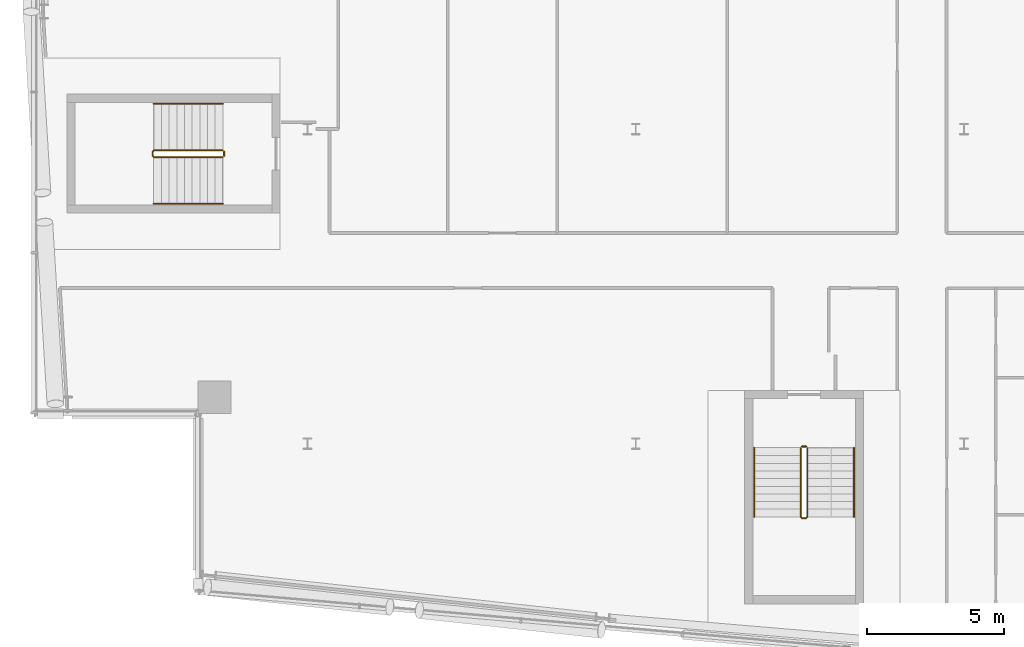
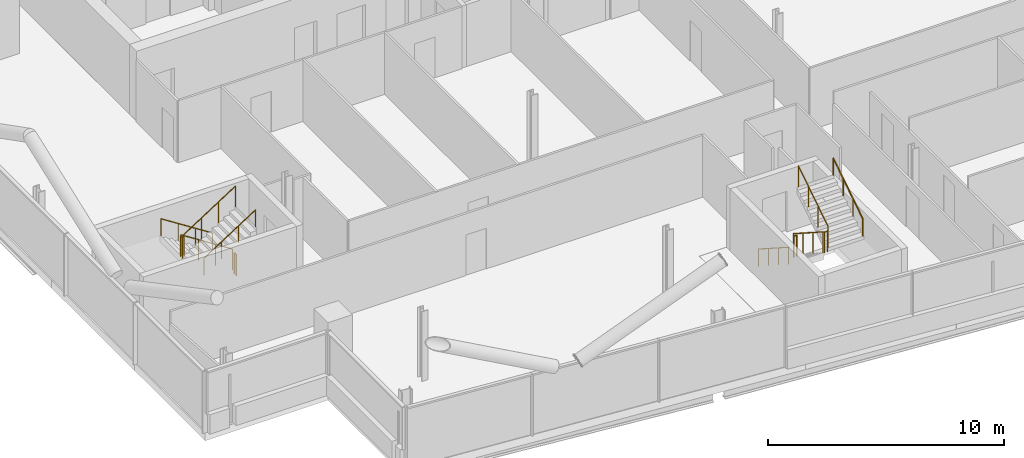
# One storey, part 24 of 26: 8 railings.
"""IFC4 building model written with IfcOpenShell, lengths in metres."""

from ifc_helpers import new_model, si_unit, direction, frame, origin, origin_2d, place, context, subcontext, project, spatial, circle, extrude, material, type_object, element, save


model = new_model("IFC4")

# Units and contexts
model_context = context("Model", 3, precision=1e-05, world=origin(), true_north=direction((0.0, 1.0)))
body_context = subcontext(model_context, "Body", "Model", "MODEL_VIEW")
ifc_project = project(units=[si_unit("LENGTHUNIT", "METRE"), si_unit("AREAUNIT", "SQUARE_METRE"), si_unit("VOLUMEUNIT", "CUBIC_METRE"), si_unit("PLANEANGLEUNIT", "RADIAN"), si_unit("MASSUNIT", "GRAM", prefix="KILO")], contexts=[model_context])

# Site, building, storey
site_placement = place(None, origin())
site = spatial("IfcSite", under=ifc_project, at=site_placement, CompositionType="ELEMENT")
building_placement = place(site_placement, origin())
building = spatial("IfcBuilding", under=site, at=building_placement, Name="Wharfspan Tower", CompositionType="ELEMENT")
storey_placement = place(building_placement, frame((0.0, 0.0, 214.300049)))
storey = spatial("IfcBuildingStorey", under=building, at=storey_placement, Name="L53", CompositionType="ELEMENT", Elevation=214.300049)

# Railings
ifc_material = material(Name="Steel S355J2", Category="steel")
railing_type_1 = type_object("IfcRailingType", Name="Stair guard 1100", PredefinedType="GUARDRAIL", material=ifc_material)
railing_1_placement = place(storey_placement, frame((20.899902, 22.225098, 0.179932)))
element("IfcRailing", 1, at=railing_1_placement, inside=storey, type_object=railing_type_1, Name="L53 ST3 stair guard 1", PredefinedType="GUARDRAIL", context=body_context, shape_type="SweptSolid", body=[
    extrude(circle(Radius=0.023926, at=origin_2d()), frame((0.0, 0.0, 1.076172), z_axis=(-0.841163, 0.0, 0.540782), x_axis=(0.0, -1.0, 0.0)), (0.0, 0.0, 1.0), 2.99585),
    extrude(circle(Radius=0.023926, at=origin_2d()), frame((-2.52002, 0.0, 2.696289), z_axis=(-0.705376, -0.708834, 0.0), x_axis=(0.708834, -0.705376, 0.0)), (0.0, 0.0, 1.0), 0.070557),
    extrude(circle(Radius=0.023926, at=origin_2d()), frame((-2.569824, -0.050049, 2.696289), z_axis=(0.0, -1.0, 0.0), x_axis=(1.0, 0.0, 0.0)), (0.0, 0.0, 1.0), 0.150146),
    extrude(circle(Radius=0.023926, at=origin_2d()), frame((-2.569824, -0.200195, 2.696289), z_axis=(0.257753, -0.257753, 0.931196), x_axis=(0.707107, 0.707107, 0.0)), (0.0, 0.0, 1.0), 0.193115),
    extrude(circle(Radius=0.023926, at=origin_2d()), frame((-2.52002, -0.25, 2.875977), z_axis=(0.8412, 0.0, 0.540725), x_axis=(0.0, 1.0, 0.0)), (0.0, 0.0, 1.0), 2.99585),
    extrude(circle(Radius=0.020996, at=origin_2d()), origin(), (0.0, 0.0, 1.0), 1.052002),
    extrude(circle(Radius=0.020996, at=origin_2d()), frame((-0.840088, 0.0, 0.540039)), (0.0, 0.0, 1.0), 1.052002),
    extrude(circle(Radius=0.020996, at=origin_2d()), frame((-1.679932, 0.0, 1.080078)), (0.0, 0.0, 1.0), 1.052002),
    extrude(circle(Radius=0.020996, at=origin_2d()), frame((-2.52002, 0.0, 1.620117)), (0.0, 0.0, 1.0), 1.052002),
    extrude(circle(Radius=0.020996, at=origin_2d()), frame((-2.569824, -0.050049, 1.620117)), (0.0, 0.0, 1.0), 1.052002),
    extrude(circle(Radius=0.020996, at=origin_2d()), frame((-2.569824, -0.200195, 1.620117)), (0.0, 0.0, 1.0), 1.052002),
    extrude(circle(Radius=0.020996, at=origin_2d()), frame((-2.52002, -0.25, 1.800049)), (0.0, 0.0, 1.0), 1.052002),
    extrude(circle(Radius=0.020996, at=origin_2d()), frame((-1.679932, -0.25, 2.340088)), (0.0, 0.0, 1.0), 1.052002),
    extrude(circle(Radius=0.020996, at=origin_2d()), frame((-0.840088, -0.25, 2.879883)), (0.0, 0.0, 1.0), 1.052002),
    extrude(circle(Radius=0.020996, at=origin_2d()), frame((0.0, -0.25, 3.419922)), (0.0, 0.0, 1.0), 1.052002),
])
railing_2_placement = place(storey_placement, frame((20.949951, 22.175049, 0.0)))
element("IfcRailing", 2, at=railing_2_placement, inside=storey, type_object=railing_type_1, Name="L53 ST3 stair guard 2", PredefinedType="GUARDRAIL", context=body_context, shape_type="SweptSolid", body=[
    extrude(circle(Radius=0.023926, at=origin_2d()), frame((0.0, 0.0, 1.076172), z_axis=(0.0, -1.0, 0.0), x_axis=(1.0, 0.0, 0.0)), (0.0, 0.0, 1.0), 0.150146),
    extrude(circle(Radius=0.020996, at=origin_2d()), origin(), (0.0, 0.0, 1.0), 1.052002),
    extrude(circle(Radius=0.020996, at=origin_2d()), frame((0.0, -0.150146, 0.0)), (0.0, 0.0, 1.0), 1.052002),
])
railing_3_placement = place(storey_placement, frame((42.0271, 11.343262, 0.179932)))
element("IfcRailing", 3, at=railing_3_placement, inside=storey, type_object=railing_type_1, Name="L53 ST4 stair guard 1", PredefinedType="GUARDRAIL", context=body_context, shape_type="SweptSolid", body=[
    extrude(circle(Radius=0.023926, at=origin_2d()), frame((0.0, 0.0, 1.076172), z_axis=(0.0, -0.841163, 0.540782), x_axis=(1.0, 0.0, 0.0)), (0.0, 0.0, 1.0), 2.99585),
    extrude(circle(Radius=0.023926, at=origin_2d()), frame((0.0, -2.52002, 2.696289), z_axis=(0.707107, -0.707107, 0.0), x_axis=(0.707107, 0.707107, 0.0)), (0.0, 0.0, 1.0), 0.070801),
    extrude(circle(Radius=0.023926, at=origin_2d()), frame((0.050049, -2.570068, 2.696289), z_axis=(1.0, 0.0, 0.0), x_axis=(0.0, 1.0, 0.0)), (0.0, 0.0, 1.0), 0.149902),
    extrude(circle(Radius=0.023926, at=origin_2d()), frame((0.199951, -2.570068, 2.696289), z_axis=(0.258848, 0.258848, 0.930589), x_axis=(-0.707107, 0.707107, 0.0)), (0.0, 0.0, 1.0), 0.193359),
    extrude(circle(Radius=0.023926, at=origin_2d()), frame((0.25, -2.52002, 2.875977), z_axis=(0.0, 0.8412, 0.540725), x_axis=(-1.0, 0.0, 0.0)), (0.0, 0.0, 1.0), 2.99585),
    extrude(circle(Radius=0.020996, at=origin_2d()), origin(), (0.0, 0.0, 1.0), 1.052002),
    extrude(circle(Radius=0.020996, at=origin_2d()), frame((0.0, -0.840088, 0.540039)), (0.0, 0.0, 1.0), 1.052002),
    extrude(circle(Radius=0.020996, at=origin_2d()), frame((0.0, -1.679932, 1.080078)), (0.0, 0.0, 1.0), 1.052002),
    extrude(circle(Radius=0.020996, at=origin_2d()), frame((0.0, -2.52002, 1.620117)), (0.0, 0.0, 1.0), 1.052002),
    extrude(circle(Radius=0.020996, at=origin_2d()), frame((0.050049, -2.570068, 1.620117)), (0.0, 0.0, 1.0), 1.052002),
    extrude(circle(Radius=0.020996, at=origin_2d()), frame((0.199951, -2.570068, 1.620117)), (0.0, 0.0, 1.0), 1.052002),
    extrude(circle(Radius=0.020996, at=origin_2d()), frame((0.25, -2.52002, 1.800049)), (0.0, 0.0, 1.0), 1.052002),
    extrude(circle(Radius=0.020996, at=origin_2d()), frame((0.25, -1.679932, 2.340088)), (0.0, 0.0, 1.0), 1.052002),
    extrude(circle(Radius=0.020996, at=origin_2d()), frame((0.25, -0.840088, 2.879883)), (0.0, 0.0, 1.0), 1.052002),
    extrude(circle(Radius=0.020996, at=origin_2d()), frame((0.25, 0.0, 3.419922)), (0.0, 0.0, 1.0), 1.052002),
])
railing_4_placement = place(storey_placement, frame((42.077148, 11.393311, 0.0)))
element("IfcRailing", 4, at=railing_4_placement, inside=storey, type_object=railing_type_1, Name="L53 ST4 stair guard 2", PredefinedType="GUARDRAIL", context=body_context, shape_type="SweptSolid", body=[
    extrude(circle(Radius=0.023926, at=origin_2d()), frame((0.0, 0.0, 1.076172), z_axis=(1.0, 0.0, 0.0), x_axis=(0.0, 1.0, 0.0)), (0.0, 0.0, 1.0), 0.149902),
    extrude(circle(Radius=0.020996, at=origin_2d()), origin(), (0.0, 0.0, 1.0), 1.052002),
    extrude(circle(Radius=0.020996, at=origin_2d()), frame((0.149902, 0.0, 0.0)), (0.0, 0.0, 1.0), 1.052002),
])
railing_type_2 = type_object("IfcRailingType", Name="Stair handrail 900", PredefinedType="HANDRAIL", material=ifc_material)
railing_5_placement = place(storey_placement, frame((20.899902, 23.925049, 0.179932)))
element("IfcRailing", 5, at=railing_5_placement, inside=storey, type_object=railing_type_2, Name="L53 ST3 stair handrail 1", PredefinedType="HANDRAIL", context=body_context, shape_type="SweptSolid", body=[
    extrude(circle(Radius=0.023926, at=origin_2d()), frame((0.0, 0.0, 0.875977), z_axis=(-0.841163, 0.0, 0.540782), x_axis=(0.0, -1.0, 0.0)), (0.0, 0.0, 1.0), 2.99585),
    extrude(circle(Radius=0.020996, at=origin_2d()), origin(), (0.0, 0.0, 1.0), 0.851807),
    extrude(circle(Radius=0.020996, at=origin_2d()), frame((-0.840088, 0.0, 0.540039)), (0.0, 0.0, 1.0), 0.851807),
    extrude(circle(Radius=0.020996, at=origin_2d()), frame((-1.679932, 0.0, 1.080078)), (0.0, 0.0, 1.0), 0.851807),
    extrude(circle(Radius=0.020996, at=origin_2d()), frame((-2.52002, 0.0, 1.620117)), (0.0, 0.0, 1.0), 0.851807),
])
railing_6_placement = place(storey_placement, frame((18.379883, 20.274902, 1.97998)))
element("IfcRailing", 6, at=railing_6_placement, inside=storey, type_object=railing_type_2, Name="L53 ST3 stair handrail 2", PredefinedType="HANDRAIL", context=body_context, shape_type="SweptSolid", body=[
    extrude(circle(Radius=0.023926, at=origin_2d()), frame((0.0, 0.0, 0.875977), z_axis=(0.8412, 0.0, 0.540725), x_axis=(0.0, 1.0, 0.0)), (0.0, 0.0, 1.0), 2.99585),
    extrude(circle(Radius=0.020996, at=origin_2d()), origin(), (0.0, 0.0, 1.0), 0.851807),
    extrude(circle(Radius=0.020996, at=origin_2d()), frame((0.840088, 0.0, 0.540039)), (0.0, 0.0, 1.0), 0.851807),
    extrude(circle(Radius=0.020996, at=origin_2d()), frame((1.679932, 0.0, 1.079834)), (0.0, 0.0, 1.0), 0.851807),
    extrude(circle(Radius=0.020996, at=origin_2d()), frame((2.52002, 0.0, 1.619873)), (0.0, 0.0, 1.0), 0.851807),
])
railing_7_placement = place(storey_placement, frame((40.327148, 11.343262, 0.179932)))
element("IfcRailing", 7, at=railing_7_placement, inside=storey, type_object=railing_type_2, Name="L53 ST4 stair handrail 1", PredefinedType="HANDRAIL", context=body_context, shape_type="SweptSolid", body=[
    extrude(circle(Radius=0.023926, at=origin_2d()), frame((0.0, 0.0, 0.875977), z_axis=(0.0, -0.841163, 0.540782), x_axis=(1.0, 0.0, 0.0)), (0.0, 0.0, 1.0), 2.99585),
    extrude(circle(Radius=0.020996, at=origin_2d()), origin(), (0.0, 0.0, 1.0), 0.851807),
    extrude(circle(Radius=0.020996, at=origin_2d()), frame((0.0, -0.840088, 0.540039)), (0.0, 0.0, 1.0), 0.851807),
    extrude(circle(Radius=0.020996, at=origin_2d()), frame((0.0, -1.679932, 1.080078)), (0.0, 0.0, 1.0), 0.851807),
    extrude(circle(Radius=0.020996, at=origin_2d()), frame((0.0, -2.52002, 1.620117)), (0.0, 0.0, 1.0), 0.851807),
])
railing_8_placement = place(storey_placement, frame((43.977051, 8.823242, 1.97998)))
element("IfcRailing", 8, at=railing_8_placement, inside=storey, type_object=railing_type_2, Name="L53 ST4 stair handrail 2", PredefinedType="HANDRAIL", context=body_context, shape_type="SweptSolid", body=[
    extrude(circle(Radius=0.023926, at=origin_2d()), frame((0.0, 0.0, 0.875977), z_axis=(0.0, 0.8412, 0.540725), x_axis=(-1.0, 0.0, 0.0)), (0.0, 0.0, 1.0), 2.99585),
    extrude(circle(Radius=0.020996, at=origin_2d()), origin(), (0.0, 0.0, 1.0), 0.851807),
    extrude(circle(Radius=0.020996, at=origin_2d()), frame((0.0, 0.840088, 0.540039)), (0.0, 0.0, 1.0), 0.851807),
    extrude(circle(Radius=0.020996, at=origin_2d()), frame((0.0, 1.679932, 1.079834)), (0.0, 0.0, 1.0), 0.851807),
    extrude(circle(Radius=0.020996, at=origin_2d()), frame((0.0, 2.52002, 1.619873)), (0.0, 0.0, 1.0), 0.851807),
])

save(model, "model.ifc")
